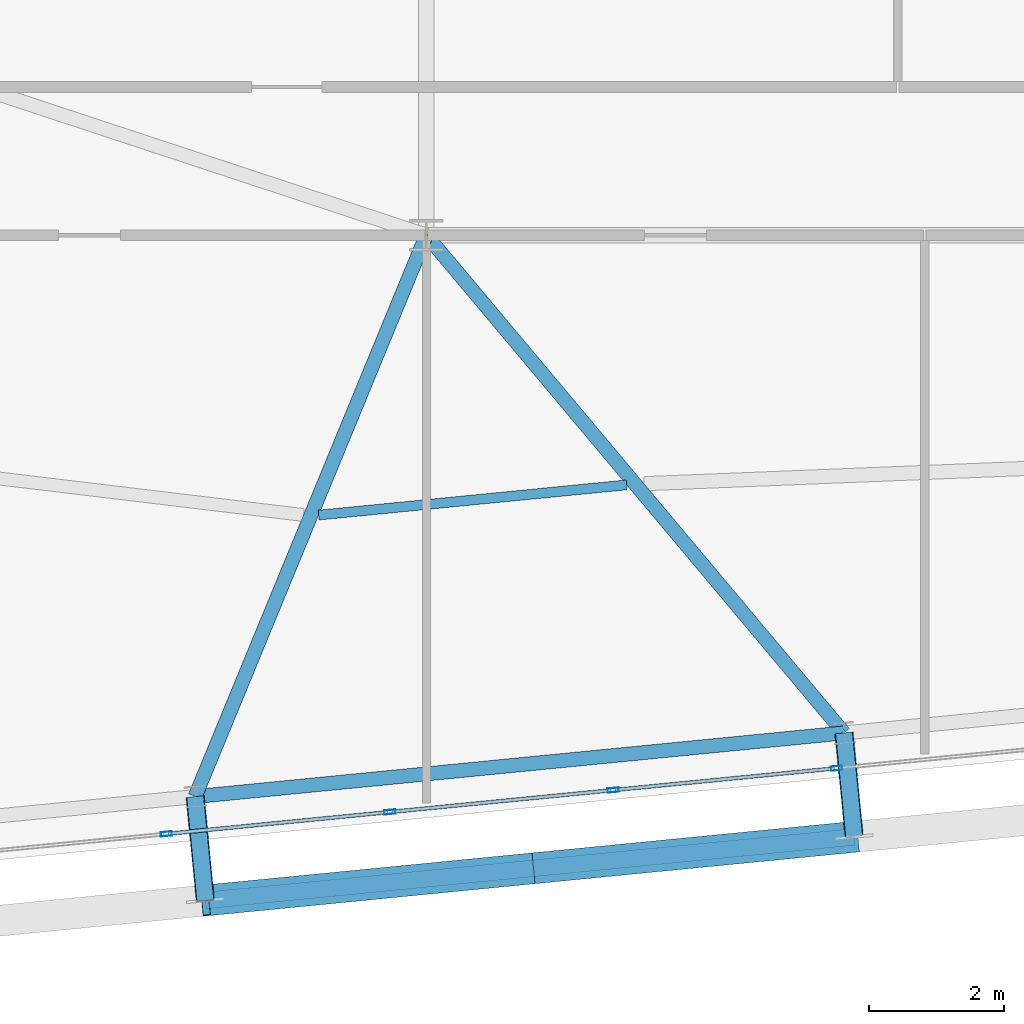
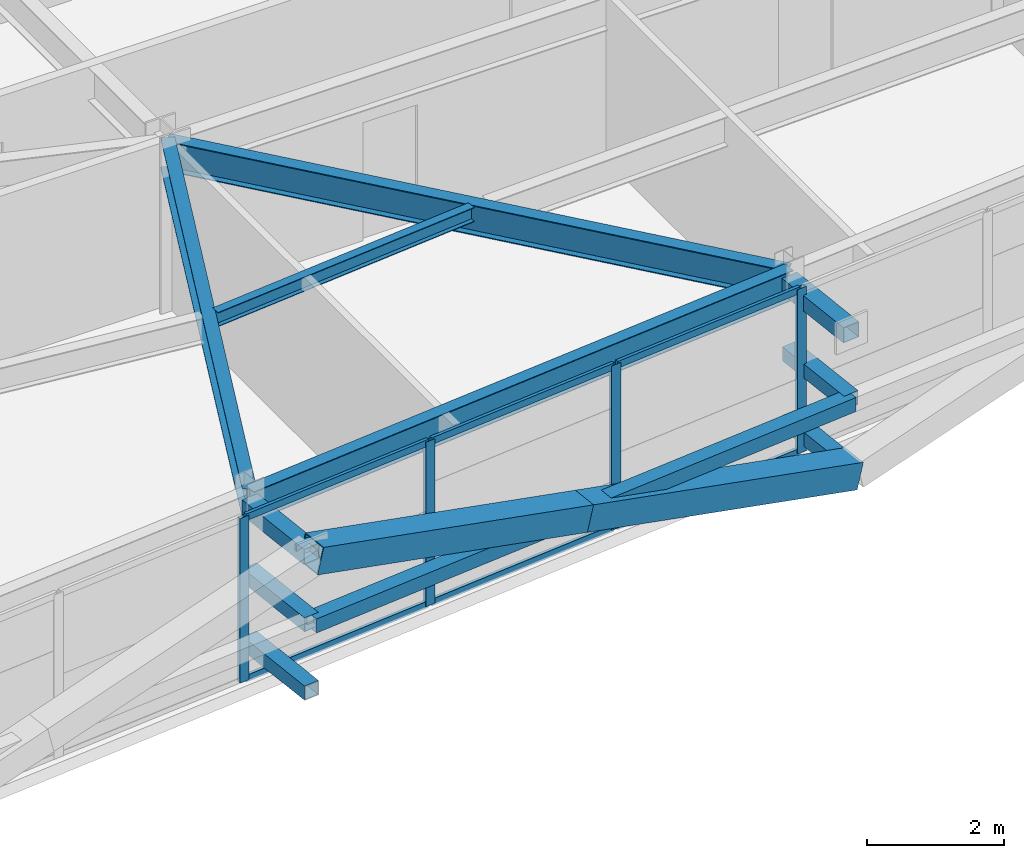
# One storey, part 10 of 52: 19 members, 4 beams, 1 element without a shape of its own.
"""IFC4 building model written with IfcOpenShell, lengths in metres."""

from ifc_helpers import new_model, si_unit, direction, frame, origin, origin_2d, place, context, subcontext, project, spatial, hollow_rectangle, i_section, extrude, source, transform, mapped, material, layer, layer_set, material_profile, profile_set, type_object, element, aggregate, save


model = new_model("IFC4")

# Units and contexts
model_context = context("Model", 3, precision=1e-05, world=origin(), true_north=direction((0.0, 1.0)))
body_context = subcontext(model_context, "Body", "Model", "MODEL_VIEW")
ifc_project = project(units=[si_unit("LENGTHUNIT", "METRE"), si_unit("AREAUNIT", "SQUARE_METRE"), si_unit("VOLUMEUNIT", "CUBIC_METRE"), si_unit("PLANEANGLEUNIT", "RADIAN"), si_unit("MASSUNIT", "GRAM", prefix="KILO")], contexts=[model_context])

# Site, building, storey
site_placement = place(None, origin())
site = spatial("IfcSite", under=ifc_project, at=site_placement, CompositionType="ELEMENT")
building_placement = place(site_placement, origin())
building = spatial("IfcBuilding", under=site, at=building_placement, Name="Taldren Reach Tower", CompositionType="ELEMENT")
storey_placement = place(building_placement, frame((0.0, 0.0, 74.550048828125)))
storey = spatial("IfcBuildingStorey", under=building, at=storey_placement, Name="L22", CompositionType="ELEMENT", Elevation=74.550048828125)

# Beams
ifc_material_1 = material(Name="Steel Gr 350 (350PLUS)", Category="steel")
ifc_material_profile_1 = material_profile(ifc_material_1, i_section(OverallWidth=0.208984375, OverallDepth=0.528076171875, WebThickness=0.009521484375, FlangeThickness=0.01318359375, at=origin_2d()), Name="530UB82.0")
ifc_profile_set_1 = profile_set([ifc_material_profile_1], Name="Steel Gr 350 (350PLUS)")
beam_type_1 = type_object("IfcBeamType", Name="SP-UB530B", PredefinedType="SPANDREL", material=ifc_profile_set_1)
shared_shape_1 = source(origin(), body_context, "Body", "SweptSolid", [
    extrude(i_section(OverallWidth=0.208984375, OverallDepth=0.528076171875, WebThickness=0.009521484375, FlangeThickness=0.01318359375, at=origin_2d()), origin(), (0.0, 0.0, 1.0), 9.679931640625),
])
beam_1_placement = place(storey_placement, frame((24.56787109375, 0.86474609375, 2.666015625), z_axis=(0.995227612658, 0.097580730699, 0.0), x_axis=(-0.097580730699, 0.995227612658, 0.0)))
element("IfcBeam", 1, at=beam_1_placement, inside=storey, type_object=beam_type_1, Name="Perimeter spandrel B2 S2-S3 L22", PredefinedType="SPANDREL", context=body_context, shape_type="MappedRepresentation", body=[
    mapped(shared_shape_1, transform((0.0, 0.0, 0.0), scale=1.0)),
])
ifc_material_profile_2 = material_profile(ifc_material_1, i_section(OverallWidth=0.208984375, OverallDepth=0.532958984375, WebThickness=0.01025390625, FlangeThickness=0.015625, at=origin_2d()), Name="530UB92.4")
ifc_profile_set_2 = profile_set([ifc_material_profile_2], Name="Steel Gr 350 (350PLUS)")
beam_type_2 = type_object("IfcBeamType", Name="BM-UB530A", PredefinedType="BEAM", material=ifc_profile_set_2)
shared_shape_2 = source(origin(), body_context, "Body", "SweptSolid", [
    extrude(i_section(OverallWidth=0.208984375, OverallDepth=0.532958984375, WebThickness=0.01025390625, FlangeThickness=0.015625, at=origin_2d()), origin(), (0.0, 0.0, 1.0), 9.01416015625),
])
beam_2_placement = place(storey_placement, frame((28.0, 9.199951171875, 2.663330078125), z_axis=(-0.380748443035, -0.924678659387, 0.0), x_axis=(0.924678659387, -0.380748443035, 0.0)))
element("IfcBeam", 2, at=beam_2_placement, inside=storey, type_object=beam_type_2, Name="Primary floor girder B2-S2 L22", PredefinedType="BEAM", context=body_context, shape_type="MappedRepresentation", body=[
    mapped(shared_shape_2, transform((0.0, 0.0, 0.0), scale=1.0)),
])
shared_shape_3 = source(origin(), body_context, "Body", "SweptSolid", [
    extrude(i_section(OverallWidth=0.208984375, OverallDepth=0.532958984375, WebThickness=0.01025390625, FlangeThickness=0.015625, at=origin_2d()), origin(), (0.0, 0.0, 1.0), 9.64794921875),
])
beam_3_placement = place(storey_placement, frame((28.0, 9.199951171875, 2.663330078125), z_axis=(0.642799132398, -0.766034774268, 0.0), x_axis=(0.766034774268, 0.642799132398, 0.0)))
element("IfcBeam", 3, at=beam_3_placement, inside=storey, type_object=beam_type_2, Name="Primary floor girder B2-S3 L22", PredefinedType="BEAM", context=body_context, shape_type="MappedRepresentation", body=[
    mapped(shared_shape_3, transform((0.0, 0.0, 0.0), scale=1.0)),
])
ifc_material_2 = material(Name="Steel Gr 300 (300PLUS, 300 MPa)", Category="steel")
ifc_material_profile_3 = material_profile(ifc_material_2, i_section(OverallWidth=0.14599609375, OverallDepth=0.256103515625, WebThickness=0.00634765625, FlangeThickness=0.010986328125, at=origin_2d()), Name="250UB37.3")
ifc_profile_set_3 = profile_set([ifc_material_profile_3], Name="Steel Gr 300 (300PLUS, 300 MPa)")
beam_type_3 = type_object("IfcBeamType", Name="JS-UB250", PredefinedType="JOIST", material=ifc_profile_set_3)
shared_shape_4 = source(origin(), body_context, "Body", "SweptSolid", [
    extrude(i_section(OverallWidth=0.14599609375, OverallDepth=0.256103515625, WebThickness=0.00634765625, FlangeThickness=0.010986328125, at=origin_2d()), origin(), (0.0, 0.0, 1.0), 4.594970703125),
])
beam_4_placement = place(storey_placement, frame((26.40185546875, 5.0439453125, 2.802001953125), z_axis=(0.995230447096, 0.097551817888, 0.0), x_axis=(-0.097551817888, 0.995230447096, 0.0)))
element("IfcBeam", 4, at=beam_4_placement, inside=storey, type_object=beam_type_3, Name="Secondary floor joist B2 J2 L22", PredefinedType="JOIST", context=body_context, shape_type="MappedRepresentation", body=[
    mapped(shared_shape_4, transform((0.0, 0.0, 0.0), scale=1.0)),
])

# Members
ifc_material_3 = material(Name="Steel Gr 450 (C450L0)", Category="steel")
ifc_material_profile_4 = material_profile(ifc_material_3, hollow_rectangle(XDim=0.27490234375, YDim=0.27490234375, WallThickness=0.00927734375, at=origin_2d()), Name="275x275x9.3SHS")
ifc_profile_set_4 = profile_set([ifc_material_profile_4], Name="Steel Gr 450 (C450L0)")
member_type_1 = type_object("IfcMemberType", Name="MB-TIE273", PredefinedType="STRUT", material=ifc_profile_set_4)
shared_shape_5 = source(origin(), body_context, "Body", "SweptSolid", [
    extrude(hollow_rectangle(XDim=0.27490234375, YDim=0.27490234375, WallThickness=0.00927734375, at=origin_2d()), origin(), (0.0, 0.0, 1.0), 1.550048828125),
])
for number, where, z_axis, x_axis, name in (
    (5, (24.56787109375, 0.86474609375, 2.64990234375), (0.097647892962, -0.9952210252, 0.0), (0.9952210252, 0.097647892962, 0.0), "Exoskeleton diaphragm tie strut B2-S2 L22"),
    (6, (34.20166015625, 1.809326171875, 2.64990234375), (0.097647892962, -0.9952210252, 0.0), (0.9952210252, 0.097647892962, 0.0), "Exoskeleton diaphragm tie strut B2-S3 L22"),
):
    element("IfcMember", number, at=place(storey_placement, frame(where, z_axis=z_axis, x_axis=x_axis)), inside=storey, type_object=member_type_1, Name=name, PredefinedType="STRUT", context=body_context, shape_type="MappedRepresentation", body=[
        mapped(shared_shape_5, transform((0.0, 0.0, 0.0), scale=1.0)),
    ])
ifc_material_profile_5 = material_profile(ifc_material_3, hollow_rectangle(XDim=0.4599609375, YDim=0.4599609375, WallThickness=0.01611328125, at=origin_2d()), Name="460x460x16.0SHS")
ifc_profile_set_5 = profile_set([ifc_material_profile_5], Name="Steel Gr 450 (C450L0)")
member_type_2 = type_object("IfcMemberType", Name="MB-EXO457", PredefinedType="BRACE", material=ifc_profile_set_5)
shared_shape_6 = source(origin(), body_context, "Body", "SweptSolid", [
    extrude(hollow_rectangle(XDim=0.4599609375, YDim=0.4599609375, WallThickness=0.01611328125, at=origin_2d()), origin(), (0.0, 0.0, 1.0), 4.990234375),
])
for number, where, z_axis, x_axis, name in (
    (7, (34.35302734375, 0.2666015625, 0.219970703125), (-0.965275526283, -0.094619506732, 0.243496010862), (0.097555749586, -0.995230061706, 0.0), "Exoskeleton Diagrid Brace B2-S2 L22"),
    (8, (29.5361328125, -0.20556640625, 1.43505859375), (-0.965282554799, -0.094669120301, 0.243448859234), (0.097605711627, -0.995225162995, 0.0), "Exoskeleton Diagrid Brace B2-S2 L22"),
):
    element("IfcMember", number, at=place(storey_placement, frame(where, z_axis=z_axis, x_axis=x_axis)), inside=storey, type_object=member_type_2, Name=name, PredefinedType="BRACE", context=body_context, shape_type="MappedRepresentation", body=[
        mapped(shared_shape_6, transform((0.0, 0.0, 0.0), scale=1.0)),
    ])
ifc_material_4 = material(Name="Steel Gr 350 (C350L0)", Category="steel")
ifc_material_profile_6 = material_profile(ifc_material_4, hollow_rectangle(XDim=0.25, YDim=0.25, WallThickness=0.010009765625, at=origin_2d()), Name="250x250x10.0SHS")
ifc_profile_set_6 = profile_set([ifc_material_profile_6], Name="Steel Gr 350 (C350L0)")
member_type_3 = type_object("IfcMemberType", Name="MB-POST250", PredefinedType="POST", material=ifc_profile_set_6)
shared_shape_7 = source(origin(), body_context, "Body", "SweptSolid", [
    extrude(hollow_rectangle(XDim=0.25, YDim=0.25, WallThickness=0.010009765625, at=origin_2d()), origin(), (0.0, 0.0, 1.0), 9.679931640625),
])
member_1_placement = place(storey_placement, frame((24.71923828125, -0.677978515625, 1.43505859375), z_axis=(0.995227612658, 0.097580730699, 0.0), x_axis=(-0.097580730699, 0.995227612658, 0.0)))
element("IfcMember", 9, at=member_1_placement, inside=storey, type_object=member_type_3, Name="Exoskeleton mid-height ring chord B2-S2 L22", PredefinedType="POST", context=body_context, shape_type="MappedRepresentation", body=[
    mapped(shared_shape_7, transform((0.0, 0.0, 0.0), scale=1.0)),
])
shared_shape_8 = source(origin(), body_context, "Body", "SweptSolid", [
    extrude(hollow_rectangle(XDim=0.25, YDim=0.25, WallThickness=0.010009765625, at=origin_2d()), origin(), (0.0, 0.0, 1.0), 1.550048828125),
])
for number, where, z_axis, x_axis, name in (
    (10, (24.56787109375, 0.86474609375, 0.219970703125), (0.097647892962, -0.9952210252, 0.0), (0.9952210252, 0.097647892962, 0.0), "Exoskeleton base diaphragm tie strut B2-S2 L22"),
    (11, (34.20166015625, 1.809326171875, 0.219970703125), (0.097647892962, -0.9952210252, 0.0), (0.9952210252, 0.097647892962, 0.0), "Exoskeleton base diaphragm tie strut B2-S3 L22"),
    (12, (24.56787109375, 0.86474609375, 1.43505859375), (0.097647892962, -0.9952210252, 0.0), (0.9952210252, 0.097647892962, 0.0), "Exoskeleton mid-tier diaphragm tie B2-S2 L22"),
    (13, (34.20166015625, 1.809326171875, 1.43505859375), (0.097647892962, -0.9952210252, 0.0), (0.9952210252, 0.097647892962, 0.0), "Exoskeleton mid-tier diaphragm tie B2-S3 L22"),
):
    element("IfcMember", number, at=place(storey_placement, frame(where, z_axis=z_axis, x_axis=x_axis)), inside=storey, type_object=member_type_3, Name=name, PredefinedType="POST", context=body_context, shape_type="MappedRepresentation", body=[
        mapped(shared_shape_8, transform((0.0, 0.0, 0.0), scale=1.0)),
    ])

# Curtain wall, members
ifc_material_5 = material(Name="Aluminium and Low-E Glass Unitised System", Category="aluminium")
ifc_layer = layer(ifc_material_5, 0.159912109375)
ifc_layer_set = layer_set([ifc_layer], Name="Aluminium and Low-E Glass Unitised System")
curtain_wall_type = type_object("IfcCurtainWallType", Name="CW-SYS-3", PredefinedType="NOTDEFINED", material=ifc_layer_set)
curtain_wall_placement = place(storey_placement, origin())
curtain_wall = element("IfcCurtainWall", 14, at=curtain_wall_placement, inside=storey, type_object=curtain_wall_type, Name="Unitised curtain wall CW-L22-S", PredefinedType="NOTDEFINED")
ifc_material_6 = material(Name="Anodised Aluminium 6063-T6", Category="aluminium")
ifc_material_profile_7 = material_profile(ifc_material_6, hollow_rectangle(XDim=0.06494140625, YDim=0.1650390625, WallThickness=0.00390625, at=origin_2d()), Name="ALU-165x65x4RHS")
ifc_profile_set_7 = profile_set([ifc_material_profile_7], Name="Anodised Aluminium 6063-T6")
member_type_4 = type_object("IfcMemberType", Name="CW-MUL-165", PredefinedType="MULLION", material=ifc_profile_set_7)
shared_shape_9 = source(origin(), body_context, "Body", "SweptSolid", [
    extrude(hollow_rectangle(XDim=0.06494140625, YDim=0.1650390625, WallThickness=0.00390625, at=origin_2d()), origin(), (0.0, 0.0, 1.0), 2.929931640625),
])
member_2_placement = place(storey_placement, frame((24.14013671875, 0.310302734375, 0.0), z_axis=(0.0, 0.0, 1.0), x_axis=(-0.097582999046, 0.995227390247, 0.0)))
member_2 = element("IfcMember", 15, at=member_2_placement, type_object=member_type_4, Name="CW-3 mullion 4", PredefinedType="MULLION", context=body_context, shape_type="MappedRepresentation", body=[
    mapped(shared_shape_9, transform((0.0, 0.0, 0.0), scale=1.0)),
])
member_3_placement = place(storey_placement, frame((27.45751953125, 0.635498046875, 0.0), z_axis=(0.0, 0.0, 1.0), x_axis=(-0.097582999046, 0.995227390247, 0.0)))
member_3 = element("IfcMember", 16, at=member_3_placement, type_object=member_type_4, Name="CW-3 mullion 5", PredefinedType="MULLION", context=body_context, shape_type="MappedRepresentation", body=[
    mapped(shared_shape_9, transform((0.0, 0.0, 0.0), scale=1.0)),
])
member_4_placement = place(storey_placement, frame((30.77490234375, 0.9609375, 0.0), z_axis=(0.0, 0.0, 1.0), x_axis=(-0.097582999046, 0.995227390247, 0.0)))
member_4 = element("IfcMember", 17, at=member_4_placement, type_object=member_type_4, Name="CW-3 mullion 6", PredefinedType="MULLION", context=body_context, shape_type="MappedRepresentation", body=[
    mapped(shared_shape_9, transform((0.0, 0.0, 0.0), scale=1.0)),
])
member_5_placement = place(storey_placement, frame((34.09228515625, 1.2861328125, 0.0), z_axis=(0.0, 0.0, 1.0), x_axis=(-0.097582999046, 0.995227390247, 0.0)))
member_5 = element("IfcMember", 18, at=member_5_placement, type_object=member_type_4, Name="CW-3 mullion 7", PredefinedType="MULLION", context=body_context, shape_type="MappedRepresentation", body=[
    mapped(shared_shape_9, transform((0.0, 0.0, 0.0), scale=1.0)),
])
ifc_material_profile_8 = material_profile(ifc_material_6, hollow_rectangle(XDim=0.054931640625, YDim=0.1201171875, WallThickness=0.0029296875, at=origin_2d()), Name="ALU-120x55x3RHS")
ifc_profile_set_8 = profile_set([ifc_material_profile_8], Name="Anodised Aluminium 6063-T6")
member_type_5 = type_object("IfcMemberType", Name="CW-TRN-135", PredefinedType="USERDEFINED", material=ifc_profile_set_8)
shared_shape_10 = source(origin(), body_context, "Body", "SweptSolid", [
    extrude(hollow_rectangle(XDim=0.054931640625, YDim=0.1201171875, WallThickness=0.0029296875, at=origin_2d()), origin(), (0.0, 0.0, 1.0), 3.268310546875),
])
member_6_placement = place(storey_placement, frame((24.17236328125, 0.3134765625, 0.02734375), z_axis=(0.99522980512, 0.097558367146, 0.0), x_axis=(-0.097558367146, 0.99522980512, 0.0)))
member_6 = element("IfcMember", 19, at=member_6_placement, type_object=member_type_5, Name="CW-3 transom 4.1", ObjectType="TRANSOM", PredefinedType="USERDEFINED", context=body_context, shape_type="MappedRepresentation", body=[
    mapped(shared_shape_10, transform((0.0, 0.0, 0.0), scale=1.0)),
])
member_7_placement = place(storey_placement, frame((24.17236328125, 0.3134765625, 2.90234375), z_axis=(0.99522980512, 0.097558367146, 0.0), x_axis=(-0.097558367146, 0.99522980512, 0.0)))
member_7 = element("IfcMember", 20, at=member_7_placement, type_object=member_type_5, Name="CW-3 transom 4.2", ObjectType="TRANSOM", PredefinedType="USERDEFINED", context=body_context, shape_type="MappedRepresentation", body=[
    mapped(shared_shape_10, transform((0.0, 0.0, 0.0), scale=1.0)),
])
member_8_placement = place(storey_placement, frame((27.48974609375, 0.638671875, 0.02734375), z_axis=(0.995222549564, 0.097632355496, 0.0), x_axis=(-0.097632355496, 0.995222549564, 0.0)))
member_8 = element("IfcMember", 21, at=member_8_placement, type_object=member_type_5, Name="CW-3 transom 5.1", ObjectType="TRANSOM", PredefinedType="USERDEFINED", context=body_context, shape_type="MappedRepresentation", body=[
    mapped(shared_shape_10, transform((0.0, 0.0, 0.0), scale=1.0)),
])
member_9_placement = place(storey_placement, frame((27.48974609375, 0.638671875, 2.90234375), z_axis=(0.995222549564, 0.097632355496, 0.0), x_axis=(-0.097632355496, 0.995222549564, 0.0)))
member_9 = element("IfcMember", 22, at=member_9_placement, type_object=member_type_5, Name="CW-3 transom 5.2", ObjectType="TRANSOM", PredefinedType="USERDEFINED", context=body_context, shape_type="MappedRepresentation", body=[
    mapped(shared_shape_10, transform((0.0, 0.0, 0.0), scale=1.0)),
])
shared_shape_11 = source(origin(), body_context, "Body", "SweptSolid", [
    extrude(hollow_rectangle(XDim=0.054931640625, YDim=0.1201171875, WallThickness=0.0029296875, at=origin_2d()), origin(), (0.0, 0.0, 1.0), 3.2685546875),
])
member_10_placement = place(storey_placement, frame((30.80712890625, 0.964111328125, 0.02734375), z_axis=(0.99523051601, 0.097551114824, 0.0), x_axis=(-0.097551114824, 0.99523051601, 0.0)))
member_10 = element("IfcMember", 23, at=member_10_placement, type_object=member_type_5, Name="CW-3 transom 6.1", ObjectType="TRANSOM", PredefinedType="USERDEFINED", context=body_context, shape_type="MappedRepresentation", body=[
    mapped(shared_shape_11, transform((0.0, 0.0, 0.0), scale=1.0)),
])
member_11_placement = place(storey_placement, frame((30.80712890625, 0.964111328125, 2.90234375), z_axis=(0.99523051601, 0.097551114824, 0.0), x_axis=(-0.097551114824, 0.99523051601, 0.0)))
member_11 = element("IfcMember", 24, at=member_11_placement, type_object=member_type_5, Name="CW-3 transom 6.2", ObjectType="TRANSOM", PredefinedType="USERDEFINED", context=body_context, shape_type="MappedRepresentation", body=[
    mapped(shared_shape_11, transform((0.0, 0.0, 0.0), scale=1.0)),
])
aggregate(curtain_wall, [member_2, member_3, member_4, member_5, member_6, member_7, member_8, member_9, member_10, member_11])

save(model, "model.ifc")
